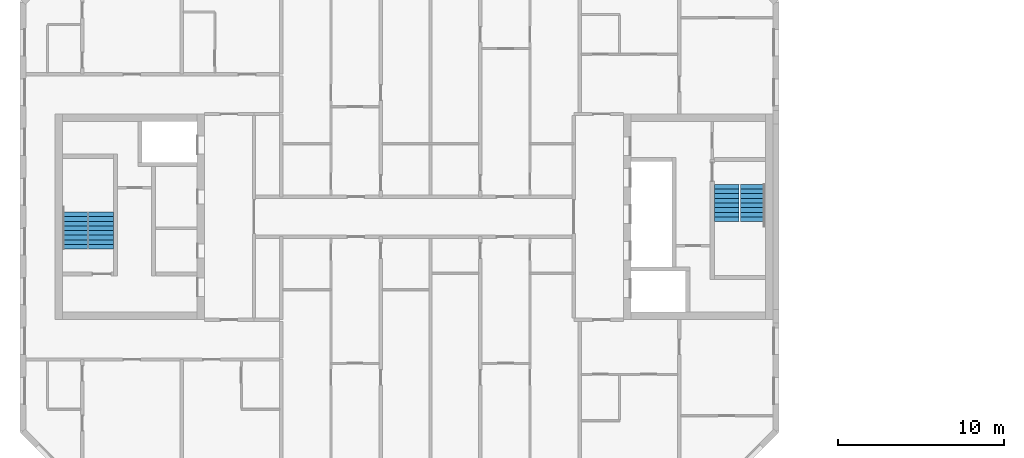
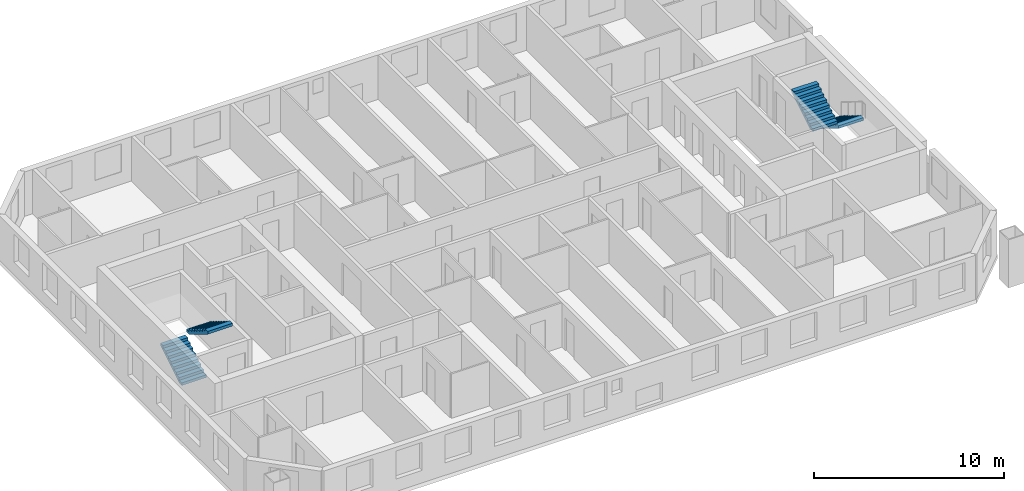
# One storey, part 14 of 15: 4 stair flights, 2 elements without a shape of their own.
"""IFC4 building model written with IfcOpenShell, lengths in metres."""

from ifc_helpers import new_model, si_unit, direction, frame, origin, place, context, subcontext, project, spatial, faceted_brep, material, type_object, element, aggregate, save


model = new_model("IFC4")

# Units and contexts
model_context = context("Model", 3, precision=1e-05, world=origin(), true_north=direction((0.0, 1.0)))
body_context = subcontext(model_context, "Body", "Model", "MODEL_VIEW")
ifc_project = project(units=[si_unit("LENGTHUNIT", "METRE"), si_unit("AREAUNIT", "SQUARE_METRE"), si_unit("VOLUMEUNIT", "CUBIC_METRE"), si_unit("PLANEANGLEUNIT", "RADIAN"), si_unit("MASSUNIT", "GRAM", prefix="KILO")], contexts=[model_context])

# Site, building, storey
site_placement = place(None, origin())
site = spatial("IfcSite", under=ifc_project, at=site_placement, CompositionType="ELEMENT")
building_placement = place(site_placement, origin())
building = spatial("IfcBuilding", under=site, at=building_placement, Name="Tuart Gate Housing", CompositionType="ELEMENT")
storey_placement = place(building_placement, frame((0.0, 0.0, 191.300048828125)))
storey = spatial("IfcBuildingStorey", under=building, at=storey_placement, Name="L54", CompositionType="ELEMENT", Elevation=191.300048828125)

# Stair, stair flights
ifc_material_1 = material(Name="Concrete C40", Category="concrete")
stair_type = type_object("IfcStairType", Name="Core stair 1500", PredefinedType="HALF_TURN_STAIR", material=ifc_material_1)
stair_1_placement = place(storey_placement, origin())
stair_1 = element("IfcStair", 1, at=stair_1_placement, inside=storey, type_object=stair_type, Name="Stair SA1", PredefinedType="HALF_TURN_STAIR")
ifc_material_2 = material(Name="Concrete C40", Category="concrete")
stair_flight_type = type_object("IfcStairFlightType", Name="Stair flight 1500, 9 risers 172 x 280", PredefinedType="STRAIGHT", material=ifc_material_2)
stair_flight_1_placement = place(storey_placement, frame((74.43994140625, 71.949951171875, 0.0), z_axis=(0.0, 0.0, 1.0), x_axis=(0.0, -1.0, 0.0)))
stair_flight_1 = element("IfcStairFlight", 2, at=stair_flight_1_placement, type_object=stair_flight_type, Name="SA1 flight 1", NumberOfRisers=9, NumberOfTreads=8, PredefinedType="STRAIGHT", RiserHeight=0.172222222, TreadLength=0.28, context=body_context, shape_type="Brep", body=[
    faceted_brep([(0.0, 0.75, 0.0), (0.0, 0.75, 0.172119140625), (0.280029296875, 0.75, 0.172119140625), (0.280029296875, 0.75, 0.344482421875), (0.56005859375, 0.75, 0.344482421875), (0.56005859375, 0.75, 0.5166015625), (0.840087890625, 0.75, 0.5166015625), (0.840087890625, 0.75, 0.68896484375), (1.1201171875, 0.75, 0.68896484375), (1.1201171875, 0.75, 0.861083984375), (1.39990234375, 0.75, 0.861083984375), (1.39990234375, 0.75, 1.033447265625), (1.679931640625, 0.75, 1.033447265625), (1.679931640625, 0.75, 1.20556640625), (1.9599609375, 0.75, 1.20556640625), (1.9599609375, 0.75, 1.377685546875), (2.239990234375, 0.75, 1.377685546875), (2.239990234375, 0.75, 1.201904296875), (0.2861328125, 0.75, 0.0), (0.2861328125, -0.75, 0.0), (2.239990234375, -0.75, 1.201904296875), (2.239990234375, -0.75, 1.377685546875), (1.9599609375, -0.75, 1.377685546875), (1.9599609375, -0.75, 1.20556640625), (1.679931640625, -0.75, 1.20556640625), (1.679931640625, -0.75, 1.033447265625), (1.39990234375, -0.75, 1.033447265625), (1.39990234375, -0.75, 0.861083984375), (1.1201171875, -0.75, 0.861083984375), (1.1201171875, -0.75, 0.68896484375), (0.840087890625, -0.75, 0.68896484375), (0.840087890625, -0.75, 0.5166015625), (0.56005859375, -0.75, 0.5166015625), (0.56005859375, -0.75, 0.344482421875), (0.280029296875, -0.75, 0.344482421875), (0.280029296875, -0.75, 0.172119140625), (0.0, -0.75, 0.172119140625), (0.0, -0.75, 0.0), (2.239990234375, 0.0, 1.201904296875), (0.2861328125, 0.0, 0.0), (2.239990234375, 0.0, 1.377685546875), (1.9599609375, 0.0, 1.377685546875), (1.9599609375, 0.0, 1.20556640625), (1.679931640625, 0.0, 1.20556640625), (1.679931640625, 0.0, 1.033447265625), (1.39990234375, 0.0, 1.033447265625), (1.39990234375, 0.0, 0.861083984375), (1.1201171875, 0.0, 0.861083984375), (1.1201171875, 0.0, 0.68896484375), (0.840087890625, 0.0, 0.68896484375), (0.840087890625, 0.0, 0.5166015625), (0.56005859375, 0.0, 0.5166015625), (0.56005859375, 0.0, 0.344482421875), (0.280029296875, 0.0, 0.344482421875), (0.280029296875, 0.0, 0.172119140625), (0.0, 0.0, 0.172119140625), (0.0, 0.0, 0.0)], [[[0, 1, 2, 3, 4, 5, 6, 7, 8, 9, 10, 11, 12, 13, 14, 15, 16, 17, 18]], [[19, 20, 21, 22, 23, 24, 25, 26, 27, 28, 29, 30, 31, 32, 33, 34, 35, 36, 37]], [[18, 17, 38, 39]], [[39, 38, 20, 19]], [[17, 16, 40, 38]], [[38, 40, 21, 20]], [[16, 15, 41, 40]], [[40, 41, 22, 21]], [[15, 14, 42, 41]], [[41, 42, 23, 22]], [[14, 13, 43, 42]], [[42, 43, 24, 23]], [[13, 12, 44, 43]], [[43, 44, 25, 24]], [[12, 11, 45, 44]], [[44, 45, 26, 25]], [[11, 10, 46, 45]], [[45, 46, 27, 26]], [[10, 9, 47, 46]], [[46, 47, 28, 27]], [[9, 8, 48, 47]], [[47, 48, 29, 28]], [[8, 7, 49, 48]], [[48, 49, 30, 29]], [[7, 6, 50, 49]], [[49, 50, 31, 30]], [[6, 5, 51, 50]], [[50, 51, 32, 31]], [[5, 4, 52, 51]], [[51, 52, 33, 32]], [[4, 3, 53, 52]], [[52, 53, 34, 33]], [[3, 2, 54, 53]], [[53, 54, 35, 34]], [[2, 1, 55, 54]], [[54, 55, 36, 35]], [[1, 0, 56, 55]], [[55, 56, 37, 36]], [[0, 18, 39, 56]], [[56, 39, 19, 37]]]),
])
stair_flight_2_placement = place(storey_placement, frame((72.864990234375, 69.7099609375, 1.550048828125), z_axis=(0.0, 0.0, 1.0), x_axis=(0.0, 1.0, 0.0)))
stair_flight_2 = element("IfcStairFlight", 3, at=stair_flight_2_placement, type_object=stair_flight_type, Name="SA1 flight 2", NumberOfRisers=9, NumberOfTreads=8, PredefinedType="STRAIGHT", RiserHeight=0.172222222, TreadLength=0.28, context=body_context, shape_type="Brep", body=[
    faceted_brep([(0.0, 0.75, 0.0), (0.0, 0.75, 0.172119140625), (0.280029296875, 0.75, 0.172119140625), (0.280029296875, 0.75, 0.344482421875), (0.56005859375, 0.75, 0.344482421875), (0.56005859375, 0.75, 0.5166015625), (0.840087890625, 0.75, 0.5166015625), (0.840087890625, 0.75, 0.68896484375), (1.1201171875, 0.75, 0.68896484375), (1.1201171875, 0.75, 0.861083984375), (1.39990234375, 0.75, 0.861083984375), (1.39990234375, 0.75, 1.033447265625), (1.679931640625, 0.75, 1.033447265625), (1.679931640625, 0.75, 1.20556640625), (1.9599609375, 0.75, 1.20556640625), (1.9599609375, 0.75, 1.377685546875), (2.239990234375, 0.75, 1.377685546875), (2.239990234375, 0.75, 1.201904296875), (0.2861328125, 0.75, 0.0), (0.2861328125, -0.75, 0.0), (2.239990234375, -0.75, 1.201904296875), (2.239990234375, -0.75, 1.377685546875), (1.9599609375, -0.75, 1.377685546875), (1.9599609375, -0.75, 1.20556640625), (1.679931640625, -0.75, 1.20556640625), (1.679931640625, -0.75, 1.033447265625), (1.39990234375, -0.75, 1.033447265625), (1.39990234375, -0.75, 0.861083984375), (1.1201171875, -0.75, 0.861083984375), (1.1201171875, -0.75, 0.68896484375), (0.840087890625, -0.75, 0.68896484375), (0.840087890625, -0.75, 0.5166015625), (0.56005859375, -0.75, 0.5166015625), (0.56005859375, -0.75, 0.344482421875), (0.280029296875, -0.75, 0.344482421875), (0.280029296875, -0.75, 0.172119140625), (0.0, -0.75, 0.172119140625), (0.0, -0.75, 0.0), (2.239990234375, 0.0, 1.201904296875), (0.2861328125, 0.0, 0.0), (2.239990234375, 0.0, 1.377685546875), (1.9599609375, 0.0, 1.377685546875), (1.9599609375, 0.0, 1.20556640625), (1.679931640625, 0.0, 1.20556640625), (1.679931640625, 0.0, 1.033447265625), (1.39990234375, 0.0, 1.033447265625), (1.39990234375, 0.0, 0.861083984375), (1.1201171875, 0.0, 0.861083984375), (1.1201171875, 0.0, 0.68896484375), (0.840087890625, 0.0, 0.68896484375), (0.840087890625, 0.0, 0.5166015625), (0.56005859375, 0.0, 0.5166015625), (0.56005859375, 0.0, 0.344482421875), (0.280029296875, 0.0, 0.344482421875), (0.280029296875, 0.0, 0.172119140625), (0.0, 0.0, 0.172119140625), (0.0, 0.0, 0.0)], [[[0, 1, 2, 3, 4, 5, 6, 7, 8, 9, 10, 11, 12, 13, 14, 15, 16, 17, 18]], [[19, 20, 21, 22, 23, 24, 25, 26, 27, 28, 29, 30, 31, 32, 33, 34, 35, 36, 37]], [[18, 17, 38, 39]], [[39, 38, 20, 19]], [[17, 16, 40, 38]], [[38, 40, 21, 20]], [[16, 15, 41, 40]], [[40, 41, 22, 21]], [[15, 14, 42, 41]], [[41, 42, 23, 22]], [[14, 13, 43, 42]], [[42, 43, 24, 23]], [[13, 12, 44, 43]], [[43, 44, 25, 24]], [[12, 11, 45, 44]], [[44, 45, 26, 25]], [[11, 10, 46, 45]], [[45, 46, 27, 26]], [[10, 9, 47, 46]], [[46, 47, 28, 27]], [[9, 8, 48, 47]], [[47, 48, 29, 28]], [[8, 7, 49, 48]], [[48, 49, 30, 29]], [[7, 6, 50, 49]], [[49, 50, 31, 30]], [[6, 5, 51, 50]], [[50, 51, 32, 31]], [[5, 4, 52, 51]], [[51, 52, 33, 32]], [[4, 3, 53, 52]], [[52, 53, 34, 33]], [[3, 2, 54, 53]], [[53, 54, 35, 34]], [[2, 1, 55, 54]], [[54, 55, 36, 35]], [[1, 0, 56, 55]], [[55, 56, 37, 36]], [[0, 18, 39, 56]], [[56, 39, 19, 37]]]),
])
aggregate(stair_1, [stair_flight_1, stair_flight_2])

stair_2_placement = place(storey_placement, origin())
stair_2 = element("IfcStair", 4, at=stair_2_placement, inside=storey, type_object=stair_type, Name="Stair SA2", PredefinedType="HALF_TURN_STAIR")
stair_flight_3_placement = place(storey_placement, frame((33.56005859375, 68.050048828125, 0.0), z_axis=(0.0, 0.0, 1.0), x_axis=(0.0, 1.0, 0.0)))
stair_flight_3 = element("IfcStairFlight", 5, at=stair_flight_3_placement, type_object=stair_flight_type, Name="SA2 flight 1", NumberOfRisers=9, NumberOfTreads=8, PredefinedType="STRAIGHT", RiserHeight=0.172222222, TreadLength=0.28, context=body_context, shape_type="Brep", body=[
    faceted_brep([(0.0, 0.75, 0.0), (0.0, 0.75, 0.172119140625), (0.280029296875, 0.75, 0.172119140625), (0.280029296875, 0.75, 0.344482421875), (0.56005859375, 0.75, 0.344482421875), (0.56005859375, 0.75, 0.5166015625), (0.840087890625, 0.75, 0.5166015625), (0.840087890625, 0.75, 0.68896484375), (1.1201171875, 0.75, 0.68896484375), (1.1201171875, 0.75, 0.861083984375), (1.39990234375, 0.75, 0.861083984375), (1.39990234375, 0.75, 1.033447265625), (1.679931640625, 0.75, 1.033447265625), (1.679931640625, 0.75, 1.20556640625), (1.9599609375, 0.75, 1.20556640625), (1.9599609375, 0.75, 1.377685546875), (2.239990234375, 0.75, 1.377685546875), (2.239990234375, 0.75, 1.201904296875), (0.2861328125, 0.75, 0.0), (0.2861328125, -0.75, 0.0), (2.239990234375, -0.75, 1.201904296875), (2.239990234375, -0.75, 1.377685546875), (1.9599609375, -0.75, 1.377685546875), (1.9599609375, -0.75, 1.20556640625), (1.679931640625, -0.75, 1.20556640625), (1.679931640625, -0.75, 1.033447265625), (1.39990234375, -0.75, 1.033447265625), (1.39990234375, -0.75, 0.861083984375), (1.1201171875, -0.75, 0.861083984375), (1.1201171875, -0.75, 0.68896484375), (0.840087890625, -0.75, 0.68896484375), (0.840087890625, -0.75, 0.5166015625), (0.56005859375, -0.75, 0.5166015625), (0.56005859375, -0.75, 0.344482421875), (0.280029296875, -0.75, 0.344482421875), (0.280029296875, -0.75, 0.172119140625), (0.0, -0.75, 0.172119140625), (0.0, -0.75, 0.0), (2.239990234375, 0.0, 1.201904296875), (0.2861328125, 0.0, 0.0), (2.239990234375, 0.0, 1.377685546875), (1.9599609375, 0.0, 1.377685546875), (1.9599609375, 0.0, 1.20556640625), (1.679931640625, 0.0, 1.20556640625), (1.679931640625, 0.0, 1.033447265625), (1.39990234375, 0.0, 1.033447265625), (1.39990234375, 0.0, 0.861083984375), (1.1201171875, 0.0, 0.861083984375), (1.1201171875, 0.0, 0.68896484375), (0.840087890625, 0.0, 0.68896484375), (0.840087890625, 0.0, 0.5166015625), (0.56005859375, 0.0, 0.5166015625), (0.56005859375, 0.0, 0.344482421875), (0.280029296875, 0.0, 0.344482421875), (0.280029296875, 0.0, 0.172119140625), (0.0, 0.0, 0.172119140625), (0.0, 0.0, 0.0)], [[[0, 1, 2, 3, 4, 5, 6, 7, 8, 9, 10, 11, 12, 13, 14, 15, 16, 17, 18]], [[19, 20, 21, 22, 23, 24, 25, 26, 27, 28, 29, 30, 31, 32, 33, 34, 35, 36, 37]], [[18, 17, 38, 39]], [[39, 38, 20, 19]], [[17, 16, 40, 38]], [[38, 40, 21, 20]], [[16, 15, 41, 40]], [[40, 41, 22, 21]], [[15, 14, 42, 41]], [[41, 42, 23, 22]], [[14, 13, 43, 42]], [[42, 43, 24, 23]], [[13, 12, 44, 43]], [[43, 44, 25, 24]], [[12, 11, 45, 44]], [[44, 45, 26, 25]], [[11, 10, 46, 45]], [[45, 46, 27, 26]], [[10, 9, 47, 46]], [[46, 47, 28, 27]], [[9, 8, 48, 47]], [[47, 48, 29, 28]], [[8, 7, 49, 48]], [[48, 49, 30, 29]], [[7, 6, 50, 49]], [[49, 50, 31, 30]], [[6, 5, 51, 50]], [[50, 51, 32, 31]], [[5, 4, 52, 51]], [[51, 52, 33, 32]], [[4, 3, 53, 52]], [[52, 53, 34, 33]], [[3, 2, 54, 53]], [[53, 54, 35, 34]], [[2, 1, 55, 54]], [[54, 55, 36, 35]], [[1, 0, 56, 55]], [[55, 56, 37, 36]], [[0, 18, 39, 56]], [[56, 39, 19, 37]]]),
])
stair_flight_4_placement = place(storey_placement, frame((35.135009765625, 70.2900390625, 1.550048828125), z_axis=(0.0, 0.0, 1.0), x_axis=(0.0, -1.0, 0.0)))
stair_flight_4 = element("IfcStairFlight", 6, at=stair_flight_4_placement, type_object=stair_flight_type, Name="SA2 flight 2", NumberOfRisers=9, NumberOfTreads=8, PredefinedType="STRAIGHT", RiserHeight=0.172222222, TreadLength=0.28, context=body_context, shape_type="Brep", body=[
    faceted_brep([(0.0, 0.75, 0.0), (0.0, 0.75, 0.172119140625), (0.280029296875, 0.75, 0.172119140625), (0.280029296875, 0.75, 0.344482421875), (0.56005859375, 0.75, 0.344482421875), (0.56005859375, 0.75, 0.5166015625), (0.840087890625, 0.75, 0.5166015625), (0.840087890625, 0.75, 0.68896484375), (1.1201171875, 0.75, 0.68896484375), (1.1201171875, 0.75, 0.861083984375), (1.39990234375, 0.75, 0.861083984375), (1.39990234375, 0.75, 1.033447265625), (1.679931640625, 0.75, 1.033447265625), (1.679931640625, 0.75, 1.20556640625), (1.9599609375, 0.75, 1.20556640625), (1.9599609375, 0.75, 1.377685546875), (2.239990234375, 0.75, 1.377685546875), (2.239990234375, 0.75, 1.201904296875), (0.2861328125, 0.75, 0.0), (0.2861328125, -0.75, 0.0), (2.239990234375, -0.75, 1.201904296875), (2.239990234375, -0.75, 1.377685546875), (1.9599609375, -0.75, 1.377685546875), (1.9599609375, -0.75, 1.20556640625), (1.679931640625, -0.75, 1.20556640625), (1.679931640625, -0.75, 1.033447265625), (1.39990234375, -0.75, 1.033447265625), (1.39990234375, -0.75, 0.861083984375), (1.1201171875, -0.75, 0.861083984375), (1.1201171875, -0.75, 0.68896484375), (0.840087890625, -0.75, 0.68896484375), (0.840087890625, -0.75, 0.5166015625), (0.56005859375, -0.75, 0.5166015625), (0.56005859375, -0.75, 0.344482421875), (0.280029296875, -0.75, 0.344482421875), (0.280029296875, -0.75, 0.172119140625), (0.0, -0.75, 0.172119140625), (0.0, -0.75, 0.0), (2.239990234375, 0.0, 1.201904296875), (0.2861328125, 0.0, 0.0), (2.239990234375, 0.0, 1.377685546875), (1.9599609375, 0.0, 1.377685546875), (1.9599609375, 0.0, 1.20556640625), (1.679931640625, 0.0, 1.20556640625), (1.679931640625, 0.0, 1.033447265625), (1.39990234375, 0.0, 1.033447265625), (1.39990234375, 0.0, 0.861083984375), (1.1201171875, 0.0, 0.861083984375), (1.1201171875, 0.0, 0.68896484375), (0.840087890625, 0.0, 0.68896484375), (0.840087890625, 0.0, 0.5166015625), (0.56005859375, 0.0, 0.5166015625), (0.56005859375, 0.0, 0.344482421875), (0.280029296875, 0.0, 0.344482421875), (0.280029296875, 0.0, 0.172119140625), (0.0, 0.0, 0.172119140625), (0.0, 0.0, 0.0)], [[[0, 1, 2, 3, 4, 5, 6, 7, 8, 9, 10, 11, 12, 13, 14, 15, 16, 17, 18]], [[19, 20, 21, 22, 23, 24, 25, 26, 27, 28, 29, 30, 31, 32, 33, 34, 35, 36, 37]], [[18, 17, 38, 39]], [[39, 38, 20, 19]], [[17, 16, 40, 38]], [[38, 40, 21, 20]], [[16, 15, 41, 40]], [[40, 41, 22, 21]], [[15, 14, 42, 41]], [[41, 42, 23, 22]], [[14, 13, 43, 42]], [[42, 43, 24, 23]], [[13, 12, 44, 43]], [[43, 44, 25, 24]], [[12, 11, 45, 44]], [[44, 45, 26, 25]], [[11, 10, 46, 45]], [[45, 46, 27, 26]], [[10, 9, 47, 46]], [[46, 47, 28, 27]], [[9, 8, 48, 47]], [[47, 48, 29, 28]], [[8, 7, 49, 48]], [[48, 49, 30, 29]], [[7, 6, 50, 49]], [[49, 50, 31, 30]], [[6, 5, 51, 50]], [[50, 51, 32, 31]], [[5, 4, 52, 51]], [[51, 52, 33, 32]], [[4, 3, 53, 52]], [[52, 53, 34, 33]], [[3, 2, 54, 53]], [[53, 54, 35, 34]], [[2, 1, 55, 54]], [[54, 55, 36, 35]], [[1, 0, 56, 55]], [[55, 56, 37, 36]], [[0, 18, 39, 56]], [[56, 39, 19, 37]]]),
])
aggregate(stair_2, [stair_flight_3, stair_flight_4])

save(model, "model.ifc")
